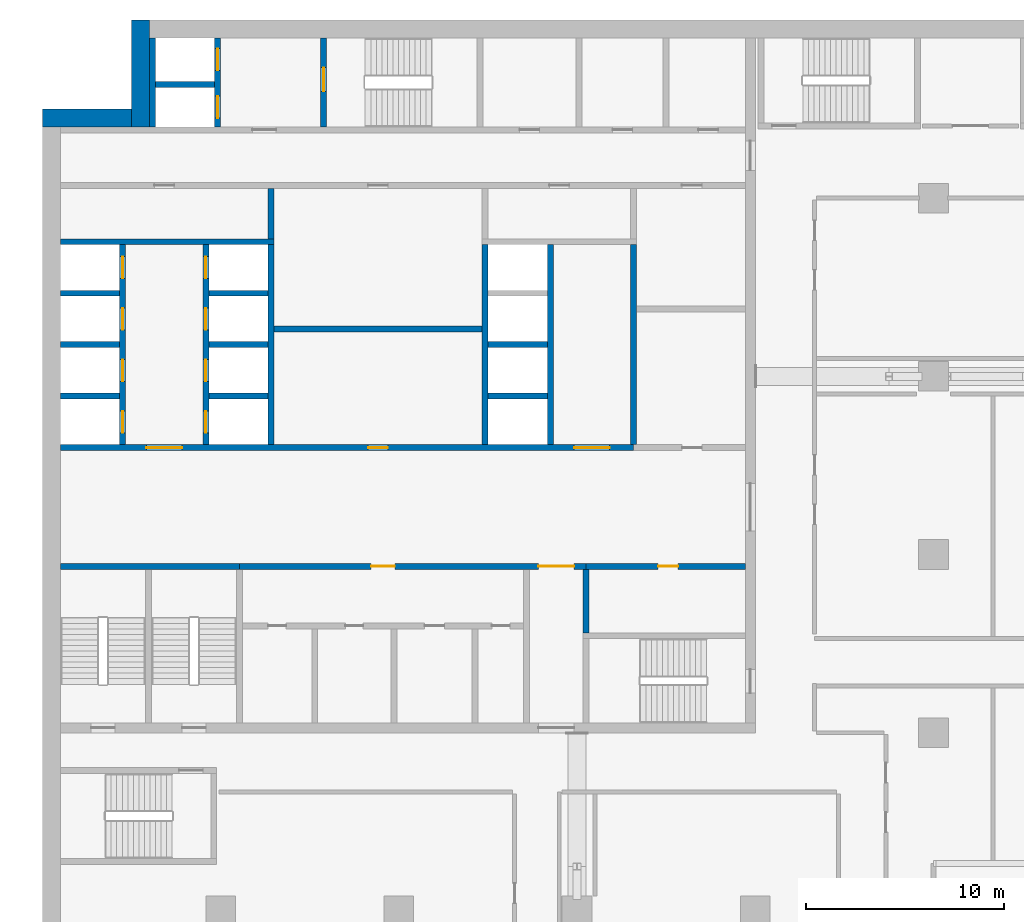
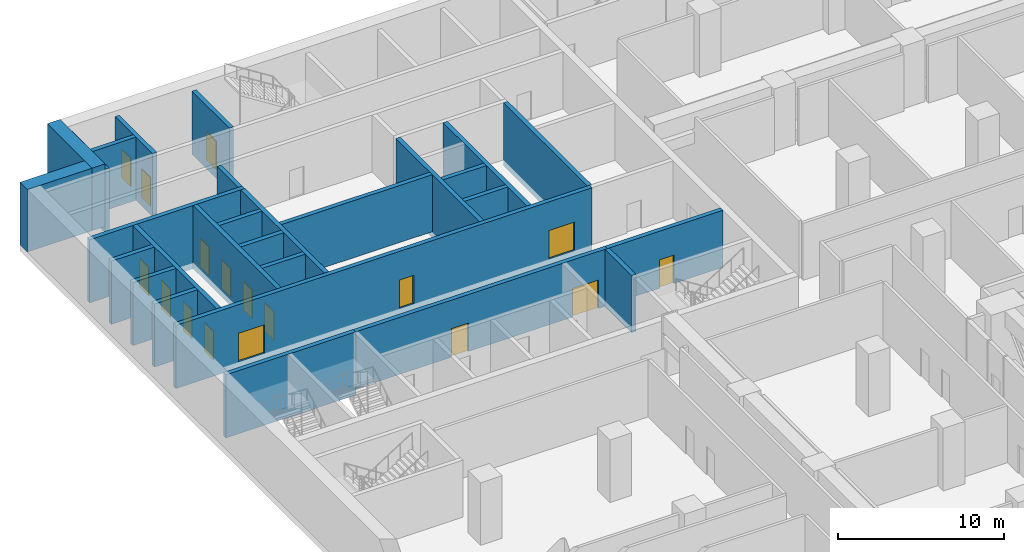
# One storey, part 15 of 31: 28 walls, 17 doors, 17 openings.
"""IFC4 building model written with IfcOpenShell, lengths in metres."""

from ifc_helpers import new_model, si_unit, direction, frame, frame_2d, origin, place, context, subcontext, project, spatial, rectangle, extrude, material, layer, layer_set, type_object, element, fill, save


model = new_model("IFC4")

# Units and contexts
model_context = context("Model", 3, precision=1e-05, world=origin(), true_north=direction((0.0, 1.0)))
body_context = subcontext(model_context, "Body", "Model", "MODEL_VIEW")
ifc_project = project(units=[si_unit("LENGTHUNIT", "METRE"), si_unit("AREAUNIT", "SQUARE_METRE"), si_unit("VOLUMEUNIT", "CUBIC_METRE"), si_unit("PLANEANGLEUNIT", "RADIAN"), si_unit("MASSUNIT", "GRAM", prefix="KILO")], contexts=[model_context])

# Site, building, storey
site_placement = place(None, origin())
site = spatial("IfcSite", under=ifc_project, at=site_placement, CompositionType="ELEMENT")
building_placement = place(site_placement, origin())
building = spatial("IfcBuilding", under=site, at=building_placement, Name="Hunhe Ridgeline Campus", CompositionType="ELEMENT")
storey_placement = place(building_placement, frame((0.0, 0.0, 31.199951171875)))
storey = spatial("IfcBuildingStorey", under=building, at=storey_placement, Name="L06", CompositionType="ELEMENT", Elevation=31.199951171875)

# Wall, openings, doors
ifc_material_1 = material(Name="Masonry concrete blockwork", Category="masonry")
ifc_layer_1 = layer(ifc_material_1, 0.300048828125)
ifc_layer_set_1 = layer_set([ifc_layer_1], Name="Core room partition 300 concrete block")
wall_type_1 = type_object("IfcWallType", Name="Core room partition 300 concrete block", PredefinedType="PARTITIONING", material=ifc_layer_set_1)
wall_1_placement = place(storey_placement, frame((9.949951171875, 71.39990234375, 0.0), z_axis=(0.0, 0.0, 1.0), x_axis=(1.0, 0.0, 0.0)))
wall_1 = element("IfcWall", 1, at=wall_1_placement, inside=storey, type_object=wall_type_1, Name="L06 core partition 13", PredefinedType="PARTITIONING", context=body_context, shape_type="SweptSolid", body=[
    extrude(rectangle(XDim=17.5, YDim=0.300048828125, at=frame_2d((8.75, 0.0))), origin(), (0.0, 0.0, 1.0), 4.199951171875),
])
opening_1_placement = place(wall_1_placement, frame((15.10009765625, 0.0, 0.0)))
opening_1 = element("IfcOpeningElement", 2, at=opening_1_placement, cuts=wall_1, Name="Opening CD7", PredefinedType="OPENING", context=body_context, shape_type="SweptSolid", body=[
    extrude(rectangle(XDim=1.800048828125, YDim=2.10009765625, at=frame_2d((0.89990234375, 1.050048828125))), frame((0.0, 0.14990234375, 0.0), z_axis=(0.0, -1.0, 0.0), x_axis=(1.0, 0.0, 0.0)), (0.0, 0.0, 1.0), 0.300048828125),
])
opening_2_placement = place(wall_1_placement, frame((6.64990234375, 0.0, 0.0)))
opening_2 = element("IfcOpeningElement", 3, at=opening_2_placement, cuts=wall_1, Name="Opening CD37", PredefinedType="OPENING", context=body_context, shape_type="SweptSolid", body=[
    extrude(rectangle(XDim=1.199951171875, YDim=2.10009765625, at=frame_2d((0.60009765625, 1.050048828125))), frame((0.0, 0.14990234375, 0.0), z_axis=(0.0, -1.0, 0.0), x_axis=(1.0, 0.0, 0.0)), (0.0, 0.0, 1.0), 0.300048828125),
])
ifc_material_2 = material(Name="Anodised aluminium and glass", Category="aluminium")
door_type_1 = type_object("IfcDoorType", Name="Glazed double door 1800x2100", OperationType="DOUBLE_DOOR_SINGLE_SWING", PredefinedType="DOOR", material=ifc_material_2)
door_1_placement = place(opening_1_placement, origin())
door_1 = element("IfcDoor", 4, at=door_1_placement, inside=storey, type_object=door_type_1, Name="L06 door VEST-HALL", OperationType="DOUBLE_DOOR_SINGLE_SWING", OverallHeight=2.10009765625, OverallWidth=1.800048828125, PredefinedType="DOOR", context=body_context, shape_type="SweptSolid", body=[
    extrude(rectangle(XDim=1.800048828125, YDim=2.10009765625, at=frame_2d((0.89990234375, 1.050048828125))), frame((0.0, 0.02490234375, 0.0), z_axis=(0.0, -1.0, 0.0), x_axis=(1.0, 0.0, 0.0)), (0.0, 0.0, 1.0), 0.050048828125),
])
fill(opening_1, door_1)
ifc_material_3 = material(Name="Solid core timber door leaf", Category="wood")
door_type_2 = type_object("IfcDoorType", Name="Timber door 1200x2100", OperationType="SINGLE_SWING_LEFT", PredefinedType="DOOR", material=ifc_material_3)
door_2_placement = place(opening_2_placement, origin())
door_2 = element("IfcDoor", 5, at=door_2_placement, inside=storey, type_object=door_type_2, Name="L06 door WCL1-HALL", OperationType="SINGLE_SWING_LEFT", OverallHeight=2.10009765625, OverallWidth=1.199951171875, PredefinedType="DOOR", context=body_context, shape_type="SweptSolid", body=[
    extrude(rectangle(XDim=1.199951171875, YDim=2.10009765625, at=frame_2d((0.60009765625, 1.050048828125))), frame((0.0, 0.02490234375, 0.0), z_axis=(0.0, -1.0, 0.0), x_axis=(1.0, 0.0, 0.0)), (0.0, 0.0, 1.0), 0.050048828125),
])
fill(opening_2, door_2)

# Walls
wall_2_placement = place(storey_placement, frame((11.699951171875, 83.39990234375, 0.0), z_axis=(0.0, 0.0, 1.0), x_axis=(1.0, 0.0, 0.0)))
element("IfcWall", 6, at=wall_2_placement, inside=storey, type_object=wall_type_1, Name="L06 core partition 23", PredefinedType="PARTITIONING", context=body_context, shape_type="SweptSolid", body=[
    extrude(rectangle(XDim=10.5, YDim=0.300048828125, at=frame_2d((5.25, 0.0))), origin(), (0.0, 0.0, 1.0), 4.199951171875),
])
wall_3_placement = place(storey_placement, frame((11.550048828125, 87.949951171875, 0.0), z_axis=(0.0, 0.0, 1.0), x_axis=(0.0, 1.0, 0.0)))
element("IfcWall", 7, at=wall_3_placement, inside=storey, type_object=wall_type_1, Name="L06 core partition 46", PredefinedType="PARTITIONING", context=body_context, shape_type="SweptSolid", body=[
    extrude(rectangle(XDim=2.550048828125, YDim=0.300048828125, at=frame_2d((1.27490234375, 0.0))), origin(), (0.0, 0.0, 1.0), 4.199951171875),
])
wall_4_placement = place(storey_placement, frame((27.449951171875, 68.050048828125, 0.0), z_axis=(0.0, 0.0, 1.0), x_axis=(0.0, 1.0, 0.0)))
element("IfcWall", 8, at=wall_4_placement, inside=storey, type_object=wall_type_1, Name="L06 core partition 60", PredefinedType="PARTITIONING", context=body_context, shape_type="SweptSolid", body=[
    extrude(rectangle(XDim=3.199951171875, YDim=0.300048828125, at=frame_2d((1.60009765625, 0.0))), origin(), (0.0, 0.0, 1.0), 4.199951171875),
])

# Wall, opening, door
ifc_material_4 = material(Name="Concrete C80", Category="concrete")
ifc_layer_2 = layer(ifc_material_4, 0.300048828125)
ifc_layer_set_2 = layer_set([ifc_layer_2], Name="Lobby wall 300 reinforced concrete C80")
wall_type_2 = type_object("IfcWallType", Name="Lobby wall 300 reinforced concrete C80", PredefinedType="SOLIDWALL", material=ifc_layer_set_2)
wall_5_placement = place(storey_placement, frame((27.449951171875, 71.39990234375, 0.0), z_axis=(0.0, 0.0, 1.0), x_axis=(1.0, 0.0, 0.0)))
wall_5 = element("IfcWall", 9, at=wall_5_placement, inside=storey, type_object=wall_type_2, Name="L06 core wall 14", PredefinedType="SOLIDWALL", context=body_context, shape_type="SweptSolid", body=[
    extrude(rectangle(XDim=8.050048828125, YDim=0.300048828125, at=frame_2d((4.02490234375, 0.0))), origin(), (0.0, 0.0, 1.0), 4.199951171875),
])
opening_3_placement = place(wall_5_placement, frame((3.64990234375, 0.0, 0.0)))
opening_3 = element("IfcOpeningElement", 10, at=opening_3_placement, cuts=wall_5, Name="Opening CD25", PredefinedType="OPENING", context=body_context, shape_type="SweptSolid", body=[
    extrude(rectangle(XDim=1.0, YDim=2.10009765625, at=frame_2d((0.5, 1.050048828125))), frame((0.0, 0.14990234375, 0.0), z_axis=(0.0, -1.0, 0.0), x_axis=(1.0, 0.0, 0.0)), (0.0, 0.0, 1.0), 0.300048828125),
])
door_type_3 = type_object("IfcDoorType", Name="Timber door 1000x2100", OperationType="SINGLE_SWING_LEFT", PredefinedType="DOOR", material=ifc_material_3)
door_3_placement = place(opening_3_placement, frame((1.0, 0.0, 0.0), z_axis=(0.0, 0.0, 1.0), x_axis=(-1.0, 0.0, 0.0)))
door_3 = element("IfcDoor", 11, at=door_3_placement, inside=storey, type_object=door_type_3, Name="L06 door SE1", OperationType="SINGLE_SWING_LEFT", OverallHeight=2.10009765625, OverallWidth=1.0, PredefinedType="DOOR", context=body_context, shape_type="SweptSolid", body=[
    extrude(rectangle(XDim=1.0, YDim=2.10009765625, at=frame_2d((0.5, 1.050048828125))), frame((0.0, 0.02490234375, 0.0), z_axis=(0.0, -1.0, 0.0), x_axis=(1.0, 0.0, 0.0)), (0.0, 0.0, 1.0), 0.050048828125),
])
fill(opening_3, door_3)

# Wall
wall_6_placement = place(storey_placement, frame((29.85009765625, 77.550048828125, -0.449951171875), z_axis=(0.0, 0.0, 1.0), x_axis=(0.0, 1.0, 0.0)))
element("IfcWall", 12, at=wall_6_placement, inside=storey, type_object=wall_type_2, Name="L06 core wall 61", PredefinedType="SOLIDWALL", context=body_context, shape_type="SweptSolid", body=[
    extrude(rectangle(XDim=10.099853515625, YDim=0.300048828125, at=frame_2d((5.0498046875, 0.0))), origin(), (0.0, 0.0, 1.0), 4.64990234375),
])

# Wall, openings, doors
ifc_layer_3 = layer(ifc_material_4, 0.300048828125)
ifc_layer_set_3 = layer_set([ifc_layer_3], Name="Shaft wall 300 reinforced concrete C80")
wall_type_3 = type_object("IfcWallType", Name="Shaft wall 300 reinforced concrete C80", PredefinedType="SOLIDWALL", material=ifc_layer_set_3)
wall_7_placement = place(storey_placement, frame((0.89990234375, 77.39990234375, -0.449951171875), z_axis=(0.0, 0.0, 1.0), x_axis=(1.0, 0.0, 0.0)))
wall_7 = element("IfcWall", 13, at=wall_7_placement, inside=storey, type_object=wall_type_3, Name="L06 core wall 15", PredefinedType="SOLIDWALL", context=body_context, shape_type="SweptSolid", body=[
    extrude(rectangle(XDim=28.9501953125, YDim=0.300048828125, at=frame_2d((14.47509765625, 0.0))), origin(), (0.0, 0.0, 1.0), 4.64990234375),
])
opening_4_placement = place(wall_7_placement, frame((4.35009765625, 0.0, 0.449951171875)))
opening_4 = element("IfcOpeningElement", 14, at=opening_4_placement, cuts=wall_7, Name="Opening CD1", PredefinedType="OPENING", context=body_context, shape_type="SweptSolid", body=[
    extrude(rectangle(XDim=1.800048828125, YDim=2.10009765625, at=frame_2d((0.89990234375, 1.050048828125))), frame((0.0, 0.14990234375, 0.0), z_axis=(0.0, -1.0, 0.0), x_axis=(1.0, 0.0, 0.0)), (0.0, 0.0, 1.0), 0.300048828125),
])
opening_5_placement = place(wall_7_placement, frame((25.949951171875, 0.0, 0.449951171875)))
opening_5 = element("IfcOpeningElement", 15, at=opening_5_placement, cuts=wall_7, Name="Opening CD2", PredefinedType="OPENING", context=body_context, shape_type="SweptSolid", body=[
    extrude(rectangle(XDim=1.800048828125, YDim=2.10009765625, at=frame_2d((0.89990234375, 1.050048828125))), frame((0.0, 0.14990234375, 0.0), z_axis=(0.0, -1.0, 0.0), x_axis=(1.0, 0.0, 0.0)), (0.0, 0.0, 1.0), 0.300048828125),
])
opening_6_placement = place(wall_7_placement, frame((15.550048828125, 0.0, 0.449951171875)))
opening_6 = element("IfcOpeningElement", 16, at=opening_6_placement, cuts=wall_7, Name="Opening CD28", PredefinedType="OPENING", context=body_context, shape_type="SweptSolid", body=[
    extrude(rectangle(XDim=1.0, YDim=2.10009765625, at=frame_2d((0.5, 1.050048828125))), frame((0.0, 0.14990234375, 0.0), z_axis=(0.0, -1.0, 0.0), x_axis=(1.0, 0.0, 0.0)), (0.0, 0.0, 1.0), 0.300048828125),
])
ifc_material_5 = material(Name="Hollow metal fire door leaf")
door_type_4 = type_object("IfcDoorType", Name="Lobby door 1800x2100 FD60", OperationType="SINGLE_SWING_LEFT", PredefinedType="DOOR", material=ifc_material_5)
door_4_placement = place(opening_4_placement, frame((1.800048828125, 0.0, 0.0), z_axis=(0.0, 0.0, 1.0), x_axis=(-1.0, 0.0, 0.0)))
door_4 = element("IfcDoor", 17, at=door_4_placement, inside=storey, type_object=door_type_4, Name="L06 door LOB-LR", OperationType="SINGLE_SWING_RIGHT", OverallHeight=2.10009765625, OverallWidth=1.800048828125, PredefinedType="DOOR", context=body_context, shape_type="SweptSolid", body=[
    extrude(rectangle(XDim=1.800048828125, YDim=2.10009765625, at=frame_2d((0.89990234375, 1.050048828125))), frame((0.0, 0.02490234375, 0.0), z_axis=(0.0, -1.0, 0.0), x_axis=(1.0, 0.0, 0.0)), (0.0, 0.0, 1.0), 0.050048828125),
])
fill(opening_4, door_4)
door_5_placement = place(opening_5_placement, frame((1.800048828125, 0.0, 0.0), z_axis=(0.0, 0.0, 1.0), x_axis=(-1.0, 0.0, 0.0)))
door_5 = element("IfcDoor", 18, at=door_5_placement, inside=storey, type_object=door_type_4, Name="L06 door LOB-SH", OperationType="SINGLE_SWING_LEFT", OverallHeight=2.10009765625, OverallWidth=1.800048828125, PredefinedType="DOOR", context=body_context, shape_type="SweptSolid", body=[
    extrude(rectangle(XDim=1.800048828125, YDim=2.10009765625, at=frame_2d((0.89990234375, 1.050048828125))), frame((0.0, 0.02490234375, 0.0), z_axis=(0.0, -1.0, 0.0), x_axis=(1.0, 0.0, 0.0)), (0.0, 0.0, 1.0), 0.050048828125),
])
fill(opening_5, door_5)
door_6_placement = place(opening_6_placement, origin())
door_6 = element("IfcDoor", 19, at=door_6_placement, inside=storey, type_object=door_type_3, Name="L06 door VD-HR0", OperationType="SINGLE_SWING_RIGHT", OverallHeight=2.10009765625, OverallWidth=1.0, PredefinedType="DOOR", context=body_context, shape_type="SweptSolid", body=[
    extrude(rectangle(XDim=1.0, YDim=2.10009765625, at=frame_2d((0.5, 1.050048828125))), frame((0.0, 0.02490234375, 0.0), z_axis=(0.0, -1.0, 0.0), x_axis=(1.0, 0.0, 0.0)), (0.0, 0.0, 1.0), 0.050048828125),
])
fill(opening_6, door_6)

# Walls
for number, where, z_axis, x_axis, name in (
    (20, (0.89990234375, 80.0, -0.449951171875), (0.0, 0.0, 1.0), (1.0, 0.0, 0.0), "L06 core wall 17"),
    (21, (8.39990234375, 80.0, -0.449951171875), (0.0, 0.0, 1.0), (1.0, 0.0, 0.0), "L06 core wall 18"),
    (22, (22.5, 80.0, -0.449951171875), (0.0, 0.0, 1.0), (1.0, 0.0, 0.0), "L06 core wall 19"),
    (23, (0.89990234375, 82.60009765625, -0.449951171875), (0.0, 0.0, 1.0), (1.0, 0.0, 0.0), "L06 core wall 20"),
    (24, (8.39990234375, 82.60009765625, -0.449951171875), (0.0, 0.0, 1.0), (1.0, 0.0, 0.0), "L06 core wall 21"),
    (25, (22.5, 82.60009765625, -0.449951171875), (0.0, 0.0, 1.0), (1.0, 0.0, 0.0), "L06 core wall 22"),
    (26, (0.89990234375, 85.199951171875, -0.449951171875), (0.0, 0.0, 1.0), (1.0, 0.0, 0.0), "L06 core wall 25"),
    (27, (8.39990234375, 85.199951171875, -0.449951171875), (0.0, 0.0, 1.0), (1.0, 0.0, 0.0), "L06 core wall 26"),
):
    element("IfcWall", number, at=place(storey_placement, frame(where, z_axis=z_axis, x_axis=x_axis)), inside=storey, type_object=wall_type_3, Name=name, PredefinedType="SOLIDWALL", context=body_context, shape_type="SweptSolid", body=[
        extrude(rectangle(XDim=3.0, YDim=0.300048828125, at=frame_2d((1.5, 0.0))), origin(), (0.0, 0.0, 1.0), 4.64990234375),
    ])
wall_8_placement = place(storey_placement, frame((0.89990234375, 87.800048828125, -0.449951171875), z_axis=(0.0, 0.0, 1.0), x_axis=(1.0, 0.0, 0.0)))
element("IfcWall", 28, at=wall_8_placement, inside=storey, type_object=wall_type_3, Name="L06 core wall 28", PredefinedType="SOLIDWALL", context=body_context, shape_type="SweptSolid", body=[
    extrude(rectangle(XDim=10.800048828125, YDim=0.300048828125, at=frame_2d((5.39990234375, 0.0))), origin(), (0.0, 0.0, 1.0), 4.64990234375),
])
wall_9_placement = place(storey_placement, frame((5.699951171875, 95.75, -0.449951171875), z_axis=(0.0, 0.0, 1.0), x_axis=(1.0, 0.0, 0.0)))
element("IfcWall", 29, at=wall_9_placement, inside=storey, type_object=wall_type_3, Name="L06 core wall 36", PredefinedType="SOLIDWALL", context=body_context, shape_type="SweptSolid", body=[
    extrude(rectangle(XDim=3.0, YDim=0.300048828125, at=frame_2d((1.5, 0.0))), origin(), (0.0, 0.0, 1.0), 4.64990234375),
])

# Wall, openings, doors
wall_10_placement = place(storey_placement, frame((4.050048828125, 77.550048828125, -0.449951171875), z_axis=(0.0, 0.0, 1.0), x_axis=(0.0, 1.0, 0.0)))
wall_10 = element("IfcWall", 30, at=wall_10_placement, inside=storey, type_object=wall_type_3, Name="L06 core wall 37", PredefinedType="SOLIDWALL", context=body_context, shape_type="SweptSolid", body=[
    extrude(rectangle(XDim=10.099853515625, YDim=0.300048828125, at=frame_2d((5.0498046875, 0.0))), origin(), (0.0, 0.0, 1.0), 4.64990234375),
])
opening_7_placement = place(wall_10_placement, frame((0.60009765625, 0.0, 0.449951171875)))
opening_7 = element("IfcOpeningElement", 31, at=opening_7_placement, cuts=wall_10, Name="Opening LD-LR1", PredefinedType="OPENING", context=body_context, shape_type="SweptSolid", body=[
    extrude(rectangle(XDim=1.10009765625, YDim=2.10009765625, at=frame_2d((0.550048828125, 1.050048828125))), frame((0.0, 0.14990234375, 0.0), z_axis=(0.0, -1.0, 0.0), x_axis=(1.0, 0.0, 0.0)), (0.0, 0.0, 1.0), 0.300048828125),
])
opening_8_placement = place(wall_10_placement, frame((3.199951171875, 0.0, 0.449951171875)))
opening_8 = element("IfcOpeningElement", 32, at=opening_8_placement, cuts=wall_10, Name="Opening LD-LR2", PredefinedType="OPENING", context=body_context, shape_type="SweptSolid", body=[
    extrude(rectangle(XDim=1.10009765625, YDim=2.10009765625, at=frame_2d((0.550048828125, 1.050048828125))), frame((0.0, 0.14990234375, 0.0), z_axis=(0.0, -1.0, 0.0), x_axis=(1.0, 0.0, 0.0)), (0.0, 0.0, 1.0), 0.300048828125),
])
opening_9_placement = place(wall_10_placement, frame((5.800048828125, 0.0, 0.449951171875)))
opening_9 = element("IfcOpeningElement", 33, at=opening_9_placement, cuts=wall_10, Name="Opening LD-LR3", PredefinedType="OPENING", context=body_context, shape_type="SweptSolid", body=[
    extrude(rectangle(XDim=1.10009765625, YDim=2.10009765625, at=frame_2d((0.550048828125, 1.050048828125))), frame((0.0, 0.14990234375, 0.0), z_axis=(0.0, -1.0, 0.0), x_axis=(1.0, 0.0, 0.0)), (0.0, 0.0, 1.0), 0.300048828125),
])
opening_10_placement = place(wall_10_placement, frame((8.39990234375, 0.0, 0.449951171875)))
opening_10 = element("IfcOpeningElement", 34, at=opening_10_placement, cuts=wall_10, Name="Opening LD-LR4", PredefinedType="OPENING", context=body_context, shape_type="SweptSolid", body=[
    extrude(rectangle(XDim=1.10009765625, YDim=2.10009765625, at=frame_2d((0.550048828125, 1.050048828125))), frame((0.0, 0.14990234375, 0.0), z_axis=(0.0, -1.0, 0.0), x_axis=(1.0, 0.0, 0.0)), (0.0, 0.0, 1.0), 0.300048828125),
])
ifc_material_6 = material(Name="Stainless steel sliding leaves", Category="steel")
door_type_5 = type_object("IfcDoorType", Name="Landing door 1100x2100 FD120", OperationType="SLIDING_TO_LEFT", PredefinedType="DOOR", material=ifc_material_6)
door_7_placement = place(opening_7_placement, origin())
door_7 = element("IfcDoor", 35, at=door_7_placement, inside=storey, type_object=door_type_5, Name="L06 landing door LR1", OperationType="SLIDING_TO_RIGHT", OverallHeight=2.10009765625, OverallWidth=1.10009765625, PredefinedType="DOOR", context=body_context, shape_type="SweptSolid", body=[
    extrude(rectangle(XDim=1.10009765625, YDim=2.10009765625, at=frame_2d((0.550048828125, 1.050048828125))), frame((0.0, 0.02490234375, 0.0), z_axis=(0.0, -1.0, 0.0), x_axis=(1.0, 0.0, 0.0)), (0.0, 0.0, 1.0), 0.050048828125),
])
fill(opening_7, door_7)
door_8_placement = place(opening_8_placement, origin())
door_8 = element("IfcDoor", 36, at=door_8_placement, inside=storey, type_object=door_type_5, Name="L06 landing door LR2", OperationType="SLIDING_TO_LEFT", OverallHeight=2.10009765625, OverallWidth=1.10009765625, PredefinedType="DOOR", context=body_context, shape_type="SweptSolid", body=[
    extrude(rectangle(XDim=1.10009765625, YDim=2.10009765625, at=frame_2d((0.550048828125, 1.050048828125))), frame((0.0, 0.02490234375, 0.0), z_axis=(0.0, -1.0, 0.0), x_axis=(1.0, 0.0, 0.0)), (0.0, 0.0, 1.0), 0.050048828125),
])
fill(opening_8, door_8)
door_9_placement = place(opening_9_placement, origin())
door_9 = element("IfcDoor", 37, at=door_9_placement, inside=storey, type_object=door_type_5, Name="L06 landing door LR3", OperationType="SLIDING_TO_RIGHT", OverallHeight=2.10009765625, OverallWidth=1.10009765625, PredefinedType="DOOR", context=body_context, shape_type="SweptSolid", body=[
    extrude(rectangle(XDim=1.10009765625, YDim=2.10009765625, at=frame_2d((0.550048828125, 1.050048828125))), frame((0.0, 0.02490234375, 0.0), z_axis=(0.0, -1.0, 0.0), x_axis=(1.0, 0.0, 0.0)), (0.0, 0.0, 1.0), 0.050048828125),
])
fill(opening_9, door_9)
door_10_placement = place(opening_10_placement, origin())
door_10 = element("IfcDoor", 38, at=door_10_placement, inside=storey, type_object=door_type_5, Name="L06 landing door LR4", OperationType="SLIDING_TO_LEFT", OverallHeight=2.10009765625, OverallWidth=1.10009765625, PredefinedType="DOOR", context=body_context, shape_type="SweptSolid", body=[
    extrude(rectangle(XDim=1.10009765625, YDim=2.10009765625, at=frame_2d((0.550048828125, 1.050048828125))), frame((0.0, 0.02490234375, 0.0), z_axis=(0.0, -1.0, 0.0), x_axis=(1.0, 0.0, 0.0)), (0.0, 0.0, 1.0), 0.050048828125),
])
fill(opening_10, door_10)

# Wall
wall_11_placement = place(storey_placement, frame((5.550048828125, 93.60009765625, -0.449951171875), z_axis=(0.0, 0.0, 1.0), x_axis=(0.0, 1.0, 0.0)))
element("IfcWall", 39, at=wall_11_placement, inside=storey, type_object=wall_type_3, Name="L06 core wall 39", PredefinedType="SOLIDWALL", context=body_context, shape_type="SweptSolid", body=[
    extrude(rectangle(XDim=4.5, YDim=0.300048828125, at=frame_2d((2.25, 0.0))), origin(), (0.0, 0.0, 1.0), 4.64990234375),
])

# Wall, openings, doors
wall_12_placement = place(storey_placement, frame((8.25, 77.550048828125, -0.449951171875), z_axis=(0.0, 0.0, 1.0), x_axis=(0.0, 1.0, 0.0)))
wall_12 = element("IfcWall", 40, at=wall_12_placement, inside=storey, type_object=wall_type_3, Name="L06 core wall 40", PredefinedType="SOLIDWALL", context=body_context, shape_type="SweptSolid", body=[
    extrude(rectangle(XDim=10.099853515625, YDim=0.300048828125, at=frame_2d((5.0498046875, 0.0))), origin(), (0.0, 0.0, 1.0), 4.64990234375),
])
opening_11_placement = place(wall_12_placement, frame((0.60009765625, 0.0, 0.449951171875)))
opening_11 = element("IfcOpeningElement", 41, at=opening_11_placement, cuts=wall_12, Name="Opening LD-LR5", PredefinedType="OPENING", context=body_context, shape_type="SweptSolid", body=[
    extrude(rectangle(XDim=1.10009765625, YDim=2.10009765625, at=frame_2d((0.550048828125, 1.050048828125))), frame((0.0, 0.14990234375, 0.0), z_axis=(0.0, -1.0, 0.0), x_axis=(1.0, 0.0, 0.0)), (0.0, 0.0, 1.0), 0.300048828125),
])
opening_12_placement = place(wall_12_placement, frame((3.199951171875, 0.0, 0.449951171875)))
opening_12 = element("IfcOpeningElement", 42, at=opening_12_placement, cuts=wall_12, Name="Opening LD-LR6", PredefinedType="OPENING", context=body_context, shape_type="SweptSolid", body=[
    extrude(rectangle(XDim=1.10009765625, YDim=2.10009765625, at=frame_2d((0.550048828125, 1.050048828125))), frame((0.0, 0.14990234375, 0.0), z_axis=(0.0, -1.0, 0.0), x_axis=(1.0, 0.0, 0.0)), (0.0, 0.0, 1.0), 0.300048828125),
])
opening_13_placement = place(wall_12_placement, frame((5.800048828125, 0.0, 0.449951171875)))
opening_13 = element("IfcOpeningElement", 43, at=opening_13_placement, cuts=wall_12, Name="Opening LD-LR7", PredefinedType="OPENING", context=body_context, shape_type="SweptSolid", body=[
    extrude(rectangle(XDim=1.10009765625, YDim=2.10009765625, at=frame_2d((0.550048828125, 1.050048828125))), frame((0.0, 0.14990234375, 0.0), z_axis=(0.0, -1.0, 0.0), x_axis=(1.0, 0.0, 0.0)), (0.0, 0.0, 1.0), 0.300048828125),
])
opening_14_placement = place(wall_12_placement, frame((8.39990234375, 0.0, 0.449951171875)))
opening_14 = element("IfcOpeningElement", 44, at=opening_14_placement, cuts=wall_12, Name="Opening LD-LR8", PredefinedType="OPENING", context=body_context, shape_type="SweptSolid", body=[
    extrude(rectangle(XDim=1.10009765625, YDim=2.10009765625, at=frame_2d((0.550048828125, 1.050048828125))), frame((0.0, 0.14990234375, 0.0), z_axis=(0.0, -1.0, 0.0), x_axis=(1.0, 0.0, 0.0)), (0.0, 0.0, 1.0), 0.300048828125),
])
door_11_placement = place(opening_11_placement, origin())
door_11 = element("IfcDoor", 45, at=door_11_placement, inside=storey, type_object=door_type_5, Name="L06 landing door LR5", OperationType="SLIDING_TO_RIGHT", OverallHeight=2.10009765625, OverallWidth=1.10009765625, PredefinedType="DOOR", context=body_context, shape_type="SweptSolid", body=[
    extrude(rectangle(XDim=1.10009765625, YDim=2.10009765625, at=frame_2d((0.550048828125, 1.050048828125))), frame((0.0, 0.02490234375, 0.0), z_axis=(0.0, -1.0, 0.0), x_axis=(1.0, 0.0, 0.0)), (0.0, 0.0, 1.0), 0.050048828125),
])
fill(opening_11, door_11)
door_12_placement = place(opening_12_placement, origin())
door_12 = element("IfcDoor", 46, at=door_12_placement, inside=storey, type_object=door_type_5, Name="L06 landing door LR6", OperationType="SLIDING_TO_LEFT", OverallHeight=2.10009765625, OverallWidth=1.10009765625, PredefinedType="DOOR", context=body_context, shape_type="SweptSolid", body=[
    extrude(rectangle(XDim=1.10009765625, YDim=2.10009765625, at=frame_2d((0.550048828125, 1.050048828125))), frame((0.0, 0.02490234375, 0.0), z_axis=(0.0, -1.0, 0.0), x_axis=(1.0, 0.0, 0.0)), (0.0, 0.0, 1.0), 0.050048828125),
])
fill(opening_12, door_12)
door_13_placement = place(opening_13_placement, origin())
door_13 = element("IfcDoor", 47, at=door_13_placement, inside=storey, type_object=door_type_5, Name="L06 landing door LR7", OperationType="SLIDING_TO_RIGHT", OverallHeight=2.10009765625, OverallWidth=1.10009765625, PredefinedType="DOOR", context=body_context, shape_type="SweptSolid", body=[
    extrude(rectangle(XDim=1.10009765625, YDim=2.10009765625, at=frame_2d((0.550048828125, 1.050048828125))), frame((0.0, 0.02490234375, 0.0), z_axis=(0.0, -1.0, 0.0), x_axis=(1.0, 0.0, 0.0)), (0.0, 0.0, 1.0), 0.050048828125),
])
fill(opening_13, door_13)
door_14_placement = place(opening_14_placement, origin())
door_14 = element("IfcDoor", 48, at=door_14_placement, inside=storey, type_object=door_type_5, Name="L06 landing door LR8", OperationType="SLIDING_TO_LEFT", OverallHeight=2.10009765625, OverallWidth=1.10009765625, PredefinedType="DOOR", context=body_context, shape_type="SweptSolid", body=[
    extrude(rectangle(XDim=1.10009765625, YDim=2.10009765625, at=frame_2d((0.550048828125, 1.050048828125))), frame((0.0, 0.02490234375, 0.0), z_axis=(0.0, -1.0, 0.0), x_axis=(1.0, 0.0, 0.0)), (0.0, 0.0, 1.0), 0.050048828125),
])
fill(opening_14, door_14)

wall_13_placement = place(storey_placement, frame((8.85009765625, 93.60009765625, -0.449951171875), z_axis=(0.0, 0.0, 1.0), x_axis=(0.0, 1.0, 0.0)))
wall_13 = element("IfcWall", 49, at=wall_13_placement, inside=storey, type_object=wall_type_3, Name="L06 core wall 43", PredefinedType="SOLIDWALL", context=body_context, shape_type="SweptSolid", body=[
    extrude(rectangle(XDim=4.5, YDim=0.300048828125, at=frame_2d((2.25, 0.0))), origin(), (0.0, 0.0, 1.0), 4.64990234375),
])
opening_15_placement = place(wall_13_placement, frame((0.449951171875, 0.0, 0.449951171875)))
opening_15 = element("IfcOpeningElement", 50, at=opening_15_placement, cuts=wall_13, Name="Opening LD-FF1", PredefinedType="OPENING", context=body_context, shape_type="SweptSolid", body=[
    extrude(rectangle(XDim=1.10009765625, YDim=2.10009765625, at=frame_2d((0.550048828125, 1.050048828125))), frame((0.0, 0.14990234375, 0.0), z_axis=(0.0, -1.0, 0.0), x_axis=(1.0, 0.0, 0.0)), (0.0, 0.0, 1.0), 0.300048828125),
])
opening_16_placement = place(wall_13_placement, frame((2.85009765625, 0.0, 0.449951171875)))
opening_16 = element("IfcOpeningElement", 51, at=opening_16_placement, cuts=wall_13, Name="Opening LD-FF2", PredefinedType="OPENING", context=body_context, shape_type="SweptSolid", body=[
    extrude(rectangle(XDim=1.10009765625, YDim=2.10009765625, at=frame_2d((0.550048828125, 1.050048828125))), frame((0.0, 0.14990234375, 0.0), z_axis=(0.0, -1.0, 0.0), x_axis=(1.0, 0.0, 0.0)), (0.0, 0.0, 1.0), 0.300048828125),
])
door_15_placement = place(opening_15_placement, origin())
door_15 = element("IfcDoor", 52, at=door_15_placement, inside=storey, type_object=door_type_5, Name="L06 landing door FF1", OperationType="SLIDING_TO_RIGHT", OverallHeight=2.10009765625, OverallWidth=1.10009765625, PredefinedType="DOOR", context=body_context, shape_type="SweptSolid", body=[
    extrude(rectangle(XDim=1.10009765625, YDim=2.10009765625, at=frame_2d((0.550048828125, 1.050048828125))), frame((0.0, 0.02490234375, 0.0), z_axis=(0.0, -1.0, 0.0), x_axis=(1.0, 0.0, 0.0)), (0.0, 0.0, 1.0), 0.050048828125),
])
fill(opening_15, door_15)
door_16_placement = place(opening_16_placement, origin())
door_16 = element("IfcDoor", 53, at=door_16_placement, inside=storey, type_object=door_type_5, Name="L06 landing door FF2", OperationType="SLIDING_TO_LEFT", OverallHeight=2.10009765625, OverallWidth=1.10009765625, PredefinedType="DOOR", context=body_context, shape_type="SweptSolid", body=[
    extrude(rectangle(XDim=1.10009765625, YDim=2.10009765625, at=frame_2d((0.550048828125, 1.050048828125))), frame((0.0, 0.02490234375, 0.0), z_axis=(0.0, -1.0, 0.0), x_axis=(1.0, 0.0, 0.0)), (0.0, 0.0, 1.0), 0.050048828125),
])
fill(opening_16, door_16)

# Walls
for number, where, z_axis, x_axis, name in (
    (54, (11.550048828125, 77.550048828125, -0.449951171875), (0.0, 0.0, 1.0), (0.0, 1.0, 0.0), "L06 core wall 45"),
    (55, (22.35009765625, 77.550048828125, -0.449951171875), (0.0, 0.0, 1.0), (0.0, 1.0, 0.0), "L06 core wall 53"),
    (56, (25.64990234375, 77.550048828125, -0.449951171875), (0.0, 0.0, 1.0), (0.0, 1.0, 0.0), "L06 core wall 57"),
):
    element("IfcWall", number, at=place(storey_placement, frame(where, z_axis=z_axis, x_axis=x_axis)), inside=storey, type_object=wall_type_3, Name=name, PredefinedType="SOLIDWALL", context=body_context, shape_type="SweptSolid", body=[
        extrude(rectangle(XDim=10.099853515625, YDim=0.300048828125, at=frame_2d((5.0498046875, 0.0))), origin(), (0.0, 0.0, 1.0), 4.64990234375),
    ])
ifc_layer_4 = layer(ifc_material_4, 0.89990234375)
ifc_layer_set_4 = layer_set([ifc_layer_4], Name="Spine wall 900 Concrete C80")
wall_type_4 = type_object("IfcWallType", Name="Spine wall 900 Concrete C80", PredefinedType="SHEAR", material=ifc_layer_set_4)
for number, where, z_axis, x_axis, name in (
    (57, (4.949951171875, 99.0, 0.0), (0.0, 0.0, 1.0), (0.0, -1.0, 0.0), "Spine wall SW1-5 L06"),
    (58, (5.400146484375, 94.050048828125, 0.0), (0.0, 0.0, 1.0), (-1.0, 0.0, 0.0), "Spine wall SW1-6 L06"),
):
    element("IfcWall", number, at=place(storey_placement, frame(where, z_axis=z_axis, x_axis=x_axis)), inside=storey, type_object=wall_type_4, Name=name, PredefinedType="SHEAR", context=body_context, shape_type="SweptSolid", body=[
        extrude(rectangle(XDim=5.400146484375, YDim=0.89990234375, at=frame_2d((2.7001953125, 0.0))), origin(), (0.0, 0.0, 1.0), 4.60009765625),
    ])
ifc_layer_5 = layer(ifc_material_4, 0.300048828125)
ifc_layer_set_5 = layer_set([ifc_layer_5], Name="Stair wall 300 reinforced concrete C80")
wall_type_5 = type_object("IfcWallType", Name="Stair wall 300 reinforced concrete C80", PredefinedType="SOLIDWALL", material=ifc_layer_set_5)
wall_14_placement = place(storey_placement, frame((0.89990234375, 71.39990234375, -0.449951171875), z_axis=(0.0, 0.0, 1.0), x_axis=(1.0, 0.0, 0.0)))
element("IfcWall", 59, at=wall_14_placement, inside=storey, type_object=wall_type_5, Name="L06 core wall 12", PredefinedType="SOLIDWALL", context=body_context, shape_type="SweptSolid", body=[
    extrude(rectangle(XDim=9.050048828125, YDim=0.300048828125, at=frame_2d((4.52490234375, 0.0))), origin(), (0.0, 0.0, 1.0), 4.64990234375),
])

# Wall, opening, door
wall_15_placement = place(storey_placement, frame((14.199951171875, 93.60009765625, -0.449951171875), z_axis=(0.0, 0.0, 1.0), x_axis=(0.0, 1.0, 0.0)))
wall_15 = element("IfcWall", 60, at=wall_15_placement, inside=storey, type_object=wall_type_5, Name="L06 core wall 48", PredefinedType="SOLIDWALL", context=body_context, shape_type="SweptSolid", body=[
    extrude(rectangle(XDim=4.5, YDim=0.300048828125, at=frame_2d((2.25, 0.0))), origin(), (0.0, 0.0, 1.0), 4.64990234375),
])
opening_17_placement = place(wall_15_placement, frame((1.800048828125, 0.0, 0.449951171875)))
opening_17 = element("IfcOpeningElement", 61, at=opening_17_placement, cuts=wall_15, Name="Opening CD16", PredefinedType="OPENING", context=body_context, shape_type="SweptSolid", body=[
    extrude(rectangle(XDim=1.199951171875, YDim=2.10009765625, at=frame_2d((0.60009765625, 1.050048828125))), frame((0.0, 0.14990234375, 0.0), z_axis=(0.0, -1.0, 0.0), x_axis=(1.0, 0.0, 0.0)), (0.0, 0.0, 1.0), 0.300048828125),
])
door_type_6 = type_object("IfcDoorType", Name="Stair door 1200x2100 FD60", OperationType="SINGLE_SWING_LEFT", PredefinedType="DOOR", material=ifc_material_5)
door_17_placement = place(opening_17_placement, origin())
door_17 = element("IfcDoor", 62, at=door_17_placement, inside=storey, type_object=door_type_6, Name="L06 door S1-FF", OperationType="SINGLE_SWING_LEFT", OverallHeight=2.10009765625, OverallWidth=1.199951171875, PredefinedType="DOOR", context=body_context, shape_type="SweptSolid", body=[
    extrude(rectangle(XDim=1.199951171875, YDim=2.10009765625, at=frame_2d((0.60009765625, 1.050048828125))), frame((0.0, 0.02490234375, 0.0), z_axis=(0.0, -1.0, 0.0), x_axis=(1.0, 0.0, 0.0)), (0.0, 0.0, 1.0), 0.050048828125),
])
fill(opening_17, door_17)

save(model, "model.ifc")
